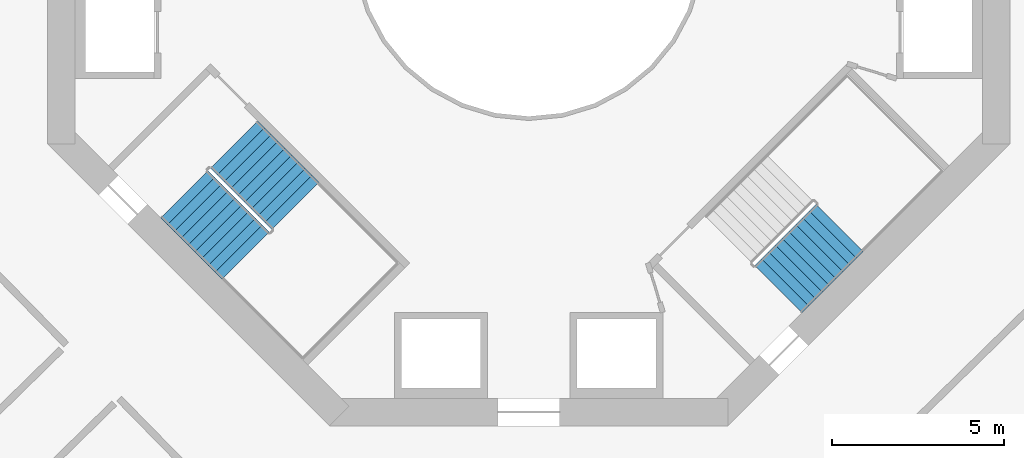
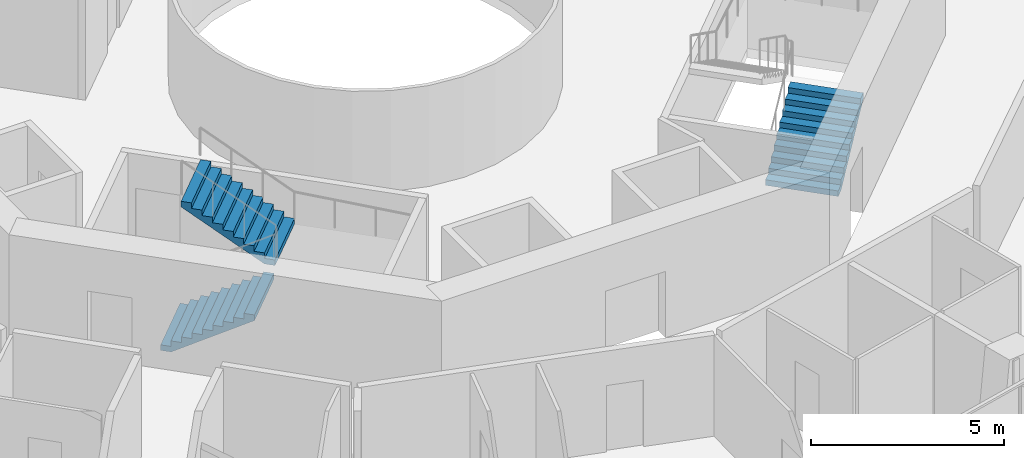
# One storey, part 24 of 26: 3 stair flights, 2 elements without a shape of their own.
"""IFC4 building model written with IfcOpenShell, lengths in metres."""

from ifc_helpers import new_model, si_unit, direction, frame, origin, place, context, subcontext, project, spatial, triangles, material, type_object, element, aggregate, save


model = new_model("IFC4")

# Units and contexts
model_context = context("Model", 3, precision=1e-05, world=origin(), true_north=direction((0.0, 1.0)))
body_context = subcontext(model_context, "Body", "Model", "MODEL_VIEW")
ifc_project = project(units=[si_unit("LENGTHUNIT", "METRE"), si_unit("AREAUNIT", "SQUARE_METRE"), si_unit("VOLUMEUNIT", "CUBIC_METRE"), si_unit("PLANEANGLEUNIT", "RADIAN"), si_unit("MASSUNIT", "GRAM", prefix="KILO")], contexts=[model_context])

# Site, building, storey
site_placement = place(None, origin())
site = spatial("IfcSite", under=ifc_project, at=site_placement, CompositionType="ELEMENT")
building_placement = place(site_placement, origin())
building = spatial("IfcBuilding", under=site, at=building_placement, Name="Verdalira Terraces Hotel", CompositionType="ELEMENT")
storey_placement = place(building_placement, frame((0.0, 0.0, 93.0)))
storey = spatial("IfcBuildingStorey", under=building, at=storey_placement, Name="L21", CompositionType="ELEMENT", Elevation=93.0)

# Stair, stair flights
ifc_material_1 = material(Name="Concrete C40", Category="concrete")
stair_type = type_object("IfcStairType", Name="Core stair 20 risers 1950 mm wide", PredefinedType="HALF_TURN_STAIR", material=ifc_material_1)
stair_1_placement = place(storey_placement, origin())
stair_1 = element("IfcStair", 1, at=stair_1_placement, inside=storey, type_object=stair_type, Name="L21 Exit stair ST2", PredefinedType="HALF_TURN_STAIR")
ifc_material_2 = material(Name="Concrete C40", Category="concrete")
stair_flight_type = type_object("IfcStairFlightType", Name="Core stair flight 20 risers 1950 mm wide", PredefinedType="STRAIGHT", material=ifc_material_2)
stair_flight_1_placement = place(storey_placement, frame((-10.023193, -7.265625, 0.0), z_axis=(0.0, 0.0, 1.0), x_axis=(0.707106781, -0.707106781, 0.0)))
stair_flight_1 = element("IfcStairFlight", 2, at=stair_flight_1_placement, type_object=stair_flight_type, Name="ST2 flight 1", NumberOfRisers=10, NumberOfTreads=9, PredefinedType="STRAIGHT", RiserHeight=0.175, TreadLength=0.28, context=body_context, shape_type="Tessellation", body=[
    triangles([(0.0, 0.974976, 0.0), (0.282715, 0.974976, 0.0), (2.52002, 0.974976, 1.398193), (0.0, -0.974976, 0.0), (0.282715, -0.974976, 0.0), (2.52002, -0.974976, 1.398193), (2.52002, 0.974976, 1.574951), (2.23999, 0.974976, 1.574951), (2.52002, -0.974976, 1.574951), (2.23999, -0.974976, 1.574951), (2.23999, 0.974976, 1.399902), (2.23999, -0.974976, 1.399902), (1.959961, 0.974976, 1.399902), (1.959961, -0.974976, 1.399902), (1.959961, 0.974976, 1.225098), (1.959961, -0.974976, 1.225098), (1.679932, 0.974976, 1.225098), (1.679932, 0.974976, 1.050049), (1.679932, -0.974976, 1.225098), (1.679932, -0.974976, 1.050049), (1.399902, 0.974976, 1.050049), (1.399902, 0.974976, 0.875), (1.399902, -0.974976, 1.050049), (1.399902, -0.974976, 0.875), (1.120117, 0.974976, 0.875), (1.120117, 0.974976, 0.699951), (1.120117, -0.974976, 0.875), (1.120117, -0.974976, 0.699951), (0.840088, 0.974976, 0.699951), (0.840088, 0.974976, 0.524902), (0.840088, -0.974976, 0.699951), (0.840088, -0.974976, 0.524902), (0.560059, 0.974976, 0.524902), (0.560059, 0.974976, 0.350098), (0.560059, -0.974976, 0.524902), (0.560059, -0.974976, 0.350098), (0.280029, 0.974976, 0.350098), (0.280029, 0.974976, 0.175049), (0.280029, -0.974976, 0.350098), (0.280029, -0.974976, 0.175049), (0.0, 0.974976, 0.175049), (0.0, -0.974976, 0.175049), (0.0, -0.91404, 0.0), (0.0, -0.91404, 0.175049), (0.0, -0.853104, 0.0), (0.0, -0.853104, 0.175049), (0.0, -0.792168, 0.0), (0.0, -0.792168, 0.175049), (0.0, -0.731232, 0.0), (0.0, -0.731232, 0.175049), (0.0, -0.670296, 0.0), (0.0, -0.670296, 0.175049), (0.0, -0.60936, 0.0), (0.0, -0.60936, 0.175049), (0.0, -0.548424, 0.0), (0.0, -0.548424, 0.175049), (0.0, -0.487488, 0.0), (0.0, -0.487488, 0.175049), (0.0, -0.426552, 0.0), (0.0, -0.426552, 0.175049), (0.0, -0.365616, 0.0), (0.0, -0.365616, 0.175049), (0.0, -0.30468, 0.0), (0.0, -0.30468, 0.175049), (0.0, -0.243744, 0.0), (0.0, -0.243744, 0.175049), (0.0, -0.182808, 0.0), (0.0, -0.182808, 0.175049), (0.0, -0.121872, 0.0), (0.0, -0.121872, 0.175049), (0.0, -0.060936, 0.0), (0.0, -0.060936, 0.175049), (0.0, 0.0, 0.0), (0.0, 0.0, 0.175049), (0.0, 0.060936, 0.0), (0.0, 0.060936, 0.175049), (0.0, 0.121872, 0.0), (0.0, 0.121872, 0.175049), (0.0, 0.182808, 0.0), (0.0, 0.182808, 0.175049), (0.0, 0.243744, 0.0), (0.0, 0.243744, 0.175049), (0.0, 0.30468, 0.0), (0.0, 0.30468, 0.175049), (0.0, 0.365616, 0.0), (0.0, 0.365616, 0.175049), (0.0, 0.426552, 0.0), (0.0, 0.426552, 0.175049), (0.0, 0.487488, 0.0), (0.0, 0.487488, 0.175049), (0.0, 0.548424, 0.0), (0.0, 0.548424, 0.175049), (0.0, 0.60936, 0.0), (0.0, 0.60936, 0.175049), (0.0, 0.670296, 0.0), (0.0, 0.670296, 0.175049), (0.0, 0.731232, 0.0), (0.0, 0.731232, 0.175049), (0.0, 0.792168, 0.0), (0.0, 0.792168, 0.175049), (0.0, 0.853104, 0.0), (0.0, 0.853104, 0.175049), (0.0, 0.91404, 0.0), (0.0, 0.91404, 0.175049), (2.52002, -0.91404, 1.574951), (2.52002, -0.853104, 1.574951), (2.52002, -0.792168, 1.574951), (2.52002, -0.731232, 1.574951), (2.52002, -0.670296, 1.574951), (2.52002, -0.60936, 1.574951), (2.52002, -0.548424, 1.574951), (2.52002, -0.487488, 1.574951), (2.52002, -0.426552, 1.574951), (2.52002, -0.365616, 1.574951), (2.52002, -0.30468, 1.574951), (2.52002, -0.243744, 1.574951), (2.52002, -0.182808, 1.574951), (2.52002, -0.121872, 1.574951), (2.52002, -0.060936, 1.574951), (2.52002, 0.0, 1.574951), (2.52002, 0.060936, 1.574951), (2.52002, 0.121872, 1.574951), (2.52002, 0.182808, 1.574951), (2.52002, 0.243744, 1.574951), (2.52002, 0.30468, 1.574951), (2.52002, 0.365616, 1.574951), (2.52002, 0.426552, 1.574951), (2.52002, 0.487488, 1.574951), (2.52002, 0.548424, 1.574951), (2.52002, 0.60936, 1.574951), (2.52002, 0.670296, 1.574951), (2.52002, 0.731232, 1.574951), (2.52002, 0.792168, 1.574951), (2.52002, 0.853104, 1.574951), (2.52002, 0.91404, 1.574951), (2.52002, -0.91404, 1.398193), (2.52002, -0.853104, 1.398193), (2.52002, -0.792168, 1.398193), (2.52002, -0.731232, 1.398193), (2.52002, -0.670296, 1.398193), (2.52002, -0.60936, 1.398193), (2.52002, -0.548424, 1.398193), (2.52002, -0.487488, 1.398193), (2.52002, -0.426552, 1.398193), (2.52002, -0.365616, 1.398193), (2.52002, -0.30468, 1.398193), (2.52002, -0.243744, 1.398193), (2.52002, -0.182808, 1.398193), (2.52002, -0.121872, 1.398193), (2.52002, -0.060936, 1.398193), (2.52002, 0.0, 1.398193), (2.52002, 0.060936, 1.398193), (2.52002, 0.121872, 1.398193), (2.52002, 0.182808, 1.398193), (2.52002, 0.243744, 1.398193), (2.52002, 0.30468, 1.398193), (2.52002, 0.365616, 1.398193), (2.52002, 0.426552, 1.398193), (2.52002, 0.487488, 1.398193), (2.52002, 0.548424, 1.398193), (2.52002, 0.60936, 1.398193), (2.52002, 0.670296, 1.398193), (2.52002, 0.731232, 1.398193), (2.52002, 0.792168, 1.398193), (2.52002, 0.853104, 1.398193), (2.52002, 0.91404, 1.398193)], [[1, 3, 2], [4, 5, 6], [3, 8, 7], [6, 9, 10], [3, 11, 8], [6, 10, 12], [3, 13, 11], [6, 12, 14], [3, 15, 13], [6, 14, 16], [15, 18, 17], [16, 19, 20], [3, 18, 15], [6, 16, 20], [18, 22, 21], [20, 23, 24], [3, 22, 18], [6, 20, 24], [22, 26, 25], [24, 27, 28], [3, 26, 22], [6, 24, 28], [26, 30, 29], [28, 31, 32], [3, 30, 26], [6, 28, 32], [1, 30, 3], [4, 6, 32], [30, 34, 33], [32, 35, 36], [34, 38, 37], [36, 39, 40], [30, 38, 34], [32, 36, 40], [1, 38, 30], [4, 32, 40], [38, 1, 41], [40, 42, 4], [4, 44, 43], [4, 42, 44], [43, 46, 45], [43, 44, 46], [45, 48, 47], [45, 46, 48], [47, 50, 49], [47, 48, 50], [49, 52, 51], [49, 50, 52], [51, 54, 53], [51, 52, 54], [53, 56, 55], [53, 54, 56], [55, 58, 57], [55, 56, 58], [57, 60, 59], [57, 58, 60], [59, 62, 61], [59, 60, 62], [61, 64, 63], [61, 62, 64], [63, 66, 65], [63, 64, 66], [65, 68, 67], [65, 66, 68], [67, 70, 69], [67, 68, 70], [69, 72, 71], [69, 70, 72], [71, 74, 73], [71, 72, 74], [73, 76, 75], [73, 74, 76], [75, 78, 77], [75, 76, 78], [77, 80, 79], [77, 78, 80], [79, 82, 81], [79, 80, 82], [81, 84, 83], [81, 82, 84], [83, 86, 85], [83, 84, 86], [85, 88, 87], [85, 86, 88], [87, 90, 89], [87, 88, 90], [89, 92, 91], [89, 90, 92], [91, 94, 93], [91, 92, 94], [93, 96, 95], [93, 94, 96], [95, 98, 97], [95, 96, 98], [97, 100, 99], [97, 98, 100], [99, 102, 101], [99, 100, 102], [101, 104, 103], [101, 102, 104], [103, 41, 1], [103, 104, 41], [42, 40, 44], [44, 40, 46], [46, 40, 48], [48, 40, 50], [50, 40, 52], [52, 40, 54], [54, 40, 56], [56, 40, 58], [58, 40, 60], [60, 40, 62], [62, 40, 64], [64, 40, 66], [66, 40, 68], [68, 40, 70], [70, 40, 72], [72, 40, 74], [74, 40, 76], [76, 40, 78], [78, 40, 80], [80, 40, 82], [82, 40, 84], [84, 40, 86], [86, 40, 88], [88, 40, 90], [90, 40, 92], [92, 40, 94], [94, 40, 96], [96, 40, 98], [98, 40, 100], [100, 40, 102], [102, 40, 104], [104, 40, 41], [41, 40, 38], [40, 37, 38], [40, 39, 37], [39, 34, 37], [39, 36, 34], [36, 33, 34], [36, 35, 33], [35, 30, 33], [35, 32, 30], [32, 29, 30], [32, 31, 29], [31, 26, 29], [31, 28, 26], [28, 25, 26], [28, 27, 25], [27, 22, 25], [27, 24, 22], [24, 21, 22], [24, 23, 21], [23, 18, 21], [23, 20, 18], [20, 17, 18], [20, 19, 17], [19, 15, 17], [19, 16, 15], [16, 13, 15], [16, 14, 13], [14, 11, 13], [14, 12, 11], [12, 8, 11], [12, 10, 8], [9, 105, 10], [105, 106, 10], [106, 107, 10], [107, 108, 10], [108, 109, 10], [109, 110, 10], [110, 111, 10], [111, 112, 10], [112, 113, 10], [113, 114, 10], [114, 115, 10], [115, 116, 10], [116, 117, 10], [117, 118, 10], [118, 119, 10], [119, 120, 10], [120, 121, 10], [121, 122, 10], [122, 123, 10], [123, 124, 10], [124, 125, 10], [125, 126, 10], [126, 127, 10], [127, 128, 10], [128, 129, 10], [129, 130, 10], [130, 131, 10], [131, 132, 10], [132, 133, 10], [133, 134, 10], [134, 135, 10], [135, 7, 10], [7, 8, 10], [9, 136, 105], [9, 6, 136], [105, 137, 106], [105, 136, 137], [106, 138, 107], [106, 137, 138], [107, 139, 108], [107, 138, 139], [108, 140, 109], [108, 139, 140], [109, 141, 110], [109, 140, 141], [110, 142, 111], [110, 141, 142], [111, 143, 112], [111, 142, 143], [112, 144, 113], [112, 143, 144], [113, 145, 114], [113, 144, 145], [114, 146, 115], [114, 145, 146], [115, 147, 116], [115, 146, 147], [116, 148, 117], [116, 147, 148], [117, 149, 118], [117, 148, 149], [118, 150, 119], [118, 149, 150], [119, 151, 120], [119, 150, 151], [120, 152, 121], [120, 151, 152], [121, 153, 122], [121, 152, 153], [122, 154, 123], [122, 153, 154], [123, 155, 124], [123, 154, 155], [124, 156, 125], [124, 155, 156], [125, 157, 126], [125, 156, 157], [126, 158, 127], [126, 157, 158], [127, 159, 128], [127, 158, 159], [128, 160, 129], [128, 159, 160], [129, 161, 130], [129, 160, 161], [130, 162, 131], [130, 161, 162], [131, 163, 132], [131, 162, 163], [132, 164, 133], [132, 163, 164], [133, 165, 134], [133, 164, 165], [134, 166, 135], [134, 165, 166], [135, 3, 7], [135, 166, 3], [6, 5, 136], [136, 5, 137], [137, 5, 138], [138, 5, 139], [139, 5, 140], [140, 5, 141], [141, 5, 142], [142, 5, 143], [143, 5, 144], [144, 5, 145], [145, 5, 146], [146, 5, 147], [147, 5, 148], [148, 5, 149], [149, 5, 150], [150, 5, 151], [151, 5, 152], [152, 5, 153], [153, 5, 154], [154, 5, 155], [155, 5, 156], [156, 5, 157], [157, 5, 158], [158, 5, 159], [159, 5, 160], [160, 5, 161], [161, 5, 162], [162, 5, 163], [163, 5, 164], [164, 5, 165], [165, 5, 166], [166, 5, 3], [3, 5, 2], [4, 43, 5], [43, 45, 5], [45, 47, 5], [47, 49, 5], [49, 51, 5], [51, 53, 5], [53, 55, 5], [55, 57, 5], [57, 59, 5], [59, 61, 5], [61, 63, 5], [63, 65, 5], [65, 67, 5], [67, 69, 5], [69, 71, 5], [71, 73, 5], [73, 75, 5], [75, 77, 5], [77, 79, 5], [79, 81, 5], [81, 83, 5], [83, 85, 5], [85, 87, 5], [87, 89, 5], [89, 91, 5], [91, 93, 5], [93, 95, 5], [95, 97, 5], [97, 99, 5], [99, 101, 5], [101, 103, 5], [103, 1, 5], [1, 2, 5]], closed=True),
])
stair_flight_2_placement = place(storey_placement, frame((-6.791748, -7.5979, 1.75), z_axis=(0.0, 0.0, 1.0), x_axis=(-0.707106781, 0.707106781, 0.0)))
stair_flight_2 = element("IfcStairFlight", 3, at=stair_flight_2_placement, type_object=stair_flight_type, Name="ST2 flight 2", NumberOfRisers=10, NumberOfTreads=9, PredefinedType="STRAIGHT", RiserHeight=0.175, TreadLength=0.28, context=body_context, shape_type="Tessellation", body=[
    triangles([(0.0, 0.974976, 0.0), (0.282715, 0.974976, 0.0), (2.52002, 0.974976, 1.398193), (0.0, -0.974976, 0.0), (0.282715, -0.974976, 0.0), (2.52002, -0.974976, 1.398193), (2.52002, 0.974976, 1.574951), (2.23999, 0.974976, 1.574951), (2.52002, -0.974976, 1.574951), (2.23999, -0.974976, 1.574951), (2.23999, 0.974976, 1.399902), (2.23999, -0.974976, 1.399902), (1.959961, 0.974976, 1.399902), (1.959961, -0.974976, 1.399902), (1.959961, 0.974976, 1.225098), (1.959961, -0.974976, 1.225098), (1.679932, 0.974976, 1.225098), (1.679932, 0.974976, 1.050049), (1.679932, -0.974976, 1.225098), (1.679932, -0.974976, 1.050049), (1.399902, 0.974976, 1.050049), (1.399902, 0.974976, 0.875), (1.399902, -0.974976, 1.050049), (1.399902, -0.974976, 0.875), (1.120117, 0.974976, 0.875), (1.120117, 0.974976, 0.699951), (1.120117, -0.974976, 0.875), (1.120117, -0.974976, 0.699951), (0.840088, 0.974976, 0.699951), (0.840088, 0.974976, 0.524902), (0.840088, -0.974976, 0.699951), (0.840088, -0.974976, 0.524902), (0.560059, 0.974976, 0.524902), (0.560059, 0.974976, 0.350098), (0.560059, -0.974976, 0.524902), (0.560059, -0.974976, 0.350098), (0.280029, 0.974976, 0.350098), (0.280029, 0.974976, 0.175049), (0.280029, -0.974976, 0.350098), (0.280029, -0.974976, 0.175049), (0.0, 0.974976, 0.175049), (0.0, -0.974976, 0.175049), (0.0, -0.91404, 0.0), (0.0, -0.91404, 0.175049), (0.0, -0.853104, 0.0), (0.0, -0.853104, 0.175049), (0.0, -0.792168, 0.0), (0.0, -0.792168, 0.175049), (0.0, -0.731232, 0.0), (0.0, -0.731232, 0.175049), (0.0, -0.670296, 0.0), (0.0, -0.670296, 0.175049), (0.0, -0.60936, 0.0), (0.0, -0.60936, 0.175049), (0.0, -0.548424, 0.0), (0.0, -0.548424, 0.175049), (0.0, -0.487488, 0.0), (0.0, -0.487488, 0.175049), (0.0, -0.426552, 0.0), (0.0, -0.426552, 0.175049), (0.0, -0.365616, 0.0), (0.0, -0.365616, 0.175049), (0.0, -0.30468, 0.0), (0.0, -0.30468, 0.175049), (0.0, -0.243744, 0.0), (0.0, -0.243744, 0.175049), (0.0, -0.182808, 0.0), (0.0, -0.182808, 0.175049), (0.0, -0.121872, 0.0), (0.0, -0.121872, 0.175049), (0.0, -0.060936, 0.0), (0.0, -0.060936, 0.175049), (0.0, 0.0, 0.0), (0.0, 0.0, 0.175049), (0.0, 0.060936, 0.0), (0.0, 0.060936, 0.175049), (0.0, 0.121872, 0.0), (0.0, 0.121872, 0.175049), (0.0, 0.182808, 0.0), (0.0, 0.182808, 0.175049), (0.0, 0.243744, 0.0), (0.0, 0.243744, 0.175049), (0.0, 0.30468, 0.0), (0.0, 0.30468, 0.175049), (0.0, 0.365616, 0.0), (0.0, 0.365616, 0.175049), (0.0, 0.426552, 0.0), (0.0, 0.426552, 0.175049), (0.0, 0.487488, 0.0), (0.0, 0.487488, 0.175049), (0.0, 0.548424, 0.0), (0.0, 0.548424, 0.175049), (0.0, 0.60936, 0.0), (0.0, 0.60936, 0.175049), (0.0, 0.670296, 0.0), (0.0, 0.670296, 0.175049), (0.0, 0.731232, 0.0), (0.0, 0.731232, 0.175049), (0.0, 0.792168, 0.0), (0.0, 0.792168, 0.175049), (0.0, 0.853104, 0.0), (0.0, 0.853104, 0.175049), (0.0, 0.91404, 0.0), (0.0, 0.91404, 0.175049), (2.52002, -0.91404, 1.574951), (2.52002, -0.853104, 1.574951), (2.52002, -0.792168, 1.574951), (2.52002, -0.731232, 1.574951), (2.52002, -0.670296, 1.574951), (2.52002, -0.60936, 1.574951), (2.52002, -0.548424, 1.574951), (2.52002, -0.487488, 1.574951), (2.52002, -0.426552, 1.574951), (2.52002, -0.365616, 1.574951), (2.52002, -0.30468, 1.574951), (2.52002, -0.243744, 1.574951), (2.52002, -0.182808, 1.574951), (2.52002, -0.121872, 1.574951), (2.52002, -0.060936, 1.574951), (2.52002, 0.0, 1.574951), (2.52002, 0.060936, 1.574951), (2.52002, 0.121872, 1.574951), (2.52002, 0.182808, 1.574951), (2.52002, 0.243744, 1.574951), (2.52002, 0.30468, 1.574951), (2.52002, 0.365616, 1.574951), (2.52002, 0.426552, 1.574951), (2.52002, 0.487488, 1.574951), (2.52002, 0.548424, 1.574951), (2.52002, 0.60936, 1.574951), (2.52002, 0.670296, 1.574951), (2.52002, 0.731232, 1.574951), (2.52002, 0.792168, 1.574951), (2.52002, 0.853104, 1.574951), (2.52002, 0.91404, 1.574951), (2.52002, -0.91404, 1.398193), (2.52002, -0.853104, 1.398193), (2.52002, -0.792168, 1.398193), (2.52002, -0.731232, 1.398193), (2.52002, -0.670296, 1.398193), (2.52002, -0.60936, 1.398193), (2.52002, -0.548424, 1.398193), (2.52002, -0.487488, 1.398193), (2.52002, -0.426552, 1.398193), (2.52002, -0.365616, 1.398193), (2.52002, -0.30468, 1.398193), (2.52002, -0.243744, 1.398193), (2.52002, -0.182808, 1.398193), (2.52002, -0.121872, 1.398193), (2.52002, -0.060936, 1.398193), (2.52002, 0.0, 1.398193), (2.52002, 0.060936, 1.398193), (2.52002, 0.121872, 1.398193), (2.52002, 0.182808, 1.398193), (2.52002, 0.243744, 1.398193), (2.52002, 0.30468, 1.398193), (2.52002, 0.365616, 1.398193), (2.52002, 0.426552, 1.398193), (2.52002, 0.487488, 1.398193), (2.52002, 0.548424, 1.398193), (2.52002, 0.60936, 1.398193), (2.52002, 0.670296, 1.398193), (2.52002, 0.731232, 1.398193), (2.52002, 0.792168, 1.398193), (2.52002, 0.853104, 1.398193), (2.52002, 0.91404, 1.398193)], [[1, 3, 2], [4, 5, 6], [3, 8, 7], [6, 9, 10], [3, 11, 8], [6, 10, 12], [3, 13, 11], [6, 12, 14], [3, 15, 13], [6, 14, 16], [15, 18, 17], [16, 19, 20], [3, 18, 15], [6, 16, 20], [18, 22, 21], [20, 23, 24], [3, 22, 18], [6, 20, 24], [22, 26, 25], [24, 27, 28], [3, 26, 22], [6, 24, 28], [26, 30, 29], [28, 31, 32], [3, 30, 26], [6, 28, 32], [1, 30, 3], [4, 6, 32], [30, 34, 33], [32, 35, 36], [34, 38, 37], [36, 39, 40], [30, 38, 34], [32, 36, 40], [1, 38, 30], [4, 32, 40], [38, 1, 41], [40, 42, 4], [4, 44, 43], [4, 42, 44], [43, 46, 45], [43, 44, 46], [45, 48, 47], [45, 46, 48], [47, 50, 49], [47, 48, 50], [49, 52, 51], [49, 50, 52], [51, 54, 53], [51, 52, 54], [53, 56, 55], [53, 54, 56], [55, 58, 57], [55, 56, 58], [57, 60, 59], [57, 58, 60], [59, 62, 61], [59, 60, 62], [61, 64, 63], [61, 62, 64], [63, 66, 65], [63, 64, 66], [65, 68, 67], [65, 66, 68], [67, 70, 69], [67, 68, 70], [69, 72, 71], [69, 70, 72], [71, 74, 73], [71, 72, 74], [73, 76, 75], [73, 74, 76], [75, 78, 77], [75, 76, 78], [77, 80, 79], [77, 78, 80], [79, 82, 81], [79, 80, 82], [81, 84, 83], [81, 82, 84], [83, 86, 85], [83, 84, 86], [85, 88, 87], [85, 86, 88], [87, 90, 89], [87, 88, 90], [89, 92, 91], [89, 90, 92], [91, 94, 93], [91, 92, 94], [93, 96, 95], [93, 94, 96], [95, 98, 97], [95, 96, 98], [97, 100, 99], [97, 98, 100], [99, 102, 101], [99, 100, 102], [101, 104, 103], [101, 102, 104], [103, 41, 1], [103, 104, 41], [42, 40, 44], [44, 40, 46], [46, 40, 48], [48, 40, 50], [50, 40, 52], [52, 40, 54], [54, 40, 56], [56, 40, 58], [58, 40, 60], [60, 40, 62], [62, 40, 64], [64, 40, 66], [66, 40, 68], [68, 40, 70], [70, 40, 72], [72, 40, 74], [74, 40, 76], [76, 40, 78], [78, 40, 80], [80, 40, 82], [82, 40, 84], [84, 40, 86], [86, 40, 88], [88, 40, 90], [90, 40, 92], [92, 40, 94], [94, 40, 96], [96, 40, 98], [98, 40, 100], [100, 40, 102], [102, 40, 104], [104, 40, 41], [41, 40, 38], [40, 37, 38], [40, 39, 37], [39, 34, 37], [39, 36, 34], [36, 33, 34], [36, 35, 33], [35, 30, 33], [35, 32, 30], [32, 29, 30], [32, 31, 29], [31, 26, 29], [31, 28, 26], [28, 25, 26], [28, 27, 25], [27, 22, 25], [27, 24, 22], [24, 21, 22], [24, 23, 21], [23, 18, 21], [23, 20, 18], [20, 17, 18], [20, 19, 17], [19, 15, 17], [19, 16, 15], [16, 13, 15], [16, 14, 13], [14, 11, 13], [14, 12, 11], [12, 8, 11], [12, 10, 8], [9, 105, 10], [105, 106, 10], [106, 107, 10], [107, 108, 10], [108, 109, 10], [109, 110, 10], [110, 111, 10], [111, 112, 10], [112, 113, 10], [113, 114, 10], [114, 115, 10], [115, 116, 10], [116, 117, 10], [117, 118, 10], [118, 119, 10], [119, 120, 10], [120, 121, 10], [121, 122, 10], [122, 123, 10], [123, 124, 10], [124, 125, 10], [125, 126, 10], [126, 127, 10], [127, 128, 10], [128, 129, 10], [129, 130, 10], [130, 131, 10], [131, 132, 10], [132, 133, 10], [133, 134, 10], [134, 135, 10], [135, 7, 10], [7, 8, 10], [9, 136, 105], [9, 6, 136], [105, 137, 106], [105, 136, 137], [106, 138, 107], [106, 137, 138], [107, 139, 108], [107, 138, 139], [108, 140, 109], [108, 139, 140], [109, 141, 110], [109, 140, 141], [110, 142, 111], [110, 141, 142], [111, 143, 112], [111, 142, 143], [112, 144, 113], [112, 143, 144], [113, 145, 114], [113, 144, 145], [114, 146, 115], [114, 145, 146], [115, 147, 116], [115, 146, 147], [116, 148, 117], [116, 147, 148], [117, 149, 118], [117, 148, 149], [118, 150, 119], [118, 149, 150], [119, 151, 120], [119, 150, 151], [120, 152, 121], [120, 151, 152], [121, 153, 122], [121, 152, 153], [122, 154, 123], [122, 153, 154], [123, 155, 124], [123, 154, 155], [124, 156, 125], [124, 155, 156], [125, 157, 126], [125, 156, 157], [126, 158, 127], [126, 157, 158], [127, 159, 128], [127, 158, 159], [128, 160, 129], [128, 159, 160], [129, 161, 130], [129, 160, 161], [130, 162, 131], [130, 161, 162], [131, 163, 132], [131, 162, 163], [132, 164, 133], [132, 163, 164], [133, 165, 134], [133, 164, 165], [134, 166, 135], [134, 165, 166], [135, 3, 7], [135, 166, 3], [6, 5, 136], [136, 5, 137], [137, 5, 138], [138, 5, 139], [139, 5, 140], [140, 5, 141], [141, 5, 142], [142, 5, 143], [143, 5, 144], [144, 5, 145], [145, 5, 146], [146, 5, 147], [147, 5, 148], [148, 5, 149], [149, 5, 150], [150, 5, 151], [151, 5, 152], [152, 5, 153], [153, 5, 154], [154, 5, 155], [155, 5, 156], [156, 5, 157], [157, 5, 158], [158, 5, 159], [159, 5, 160], [160, 5, 161], [161, 5, 162], [162, 5, 163], [163, 5, 164], [164, 5, 165], [165, 5, 166], [166, 5, 3], [3, 5, 2], [4, 43, 5], [43, 45, 5], [45, 47, 5], [47, 49, 5], [49, 51, 5], [51, 53, 5], [53, 55, 5], [55, 57, 5], [57, 59, 5], [59, 61, 5], [61, 63, 5], [63, 65, 5], [65, 67, 5], [67, 69, 5], [69, 71, 5], [71, 73, 5], [73, 75, 5], [75, 77, 5], [77, 79, 5], [79, 81, 5], [81, 83, 5], [83, 85, 5], [85, 87, 5], [87, 89, 5], [89, 91, 5], [91, 93, 5], [93, 95, 5], [95, 97, 5], [97, 99, 5], [99, 101, 5], [101, 103, 5], [103, 1, 5], [1, 2, 5]], closed=True),
])
aggregate(stair_1, [stair_flight_1, stair_flight_2])

# Stair, stair flight
stair_2_placement = place(storey_placement, origin())
stair_2 = element("IfcStair", 4, at=stair_2_placement, inside=storey, type_object=stair_type, Name="L21 Exit stair ST3", PredefinedType="HALF_TURN_STAIR")
stair_flight_3_placement = place(storey_placement, frame((7.265625, -10.023193, 0.0), z_axis=(0.0, 0.0, 1.0), x_axis=(0.707106781, 0.707106781, 0.0)))
stair_flight_3 = element("IfcStairFlight", 5, at=stair_flight_3_placement, type_object=stair_flight_type, Name="ST3 flight 1", NumberOfRisers=10, NumberOfTreads=9, PredefinedType="STRAIGHT", RiserHeight=0.175, TreadLength=0.28, context=body_context, shape_type="Tessellation", body=[
    triangles([(0.0, 0.974976, 0.0), (0.282715, 0.974976, 0.0), (2.52002, 0.974976, 1.398193), (0.0, -0.974976, 0.0), (0.282715, -0.974976, 0.0), (2.52002, -0.974976, 1.398193), (2.52002, 0.974976, 1.574951), (2.23999, 0.974976, 1.574951), (2.52002, -0.974976, 1.574951), (2.23999, -0.974976, 1.574951), (2.23999, 0.974976, 1.399902), (2.23999, -0.974976, 1.399902), (1.959961, 0.974976, 1.399902), (1.959961, -0.974976, 1.399902), (1.959961, 0.974976, 1.225098), (1.959961, -0.974976, 1.225098), (1.679932, 0.974976, 1.225098), (1.679932, 0.974976, 1.050049), (1.679932, -0.974976, 1.225098), (1.679932, -0.974976, 1.050049), (1.399902, 0.974976, 1.050049), (1.399902, 0.974976, 0.875), (1.399902, -0.974976, 1.050049), (1.399902, -0.974976, 0.875), (1.120117, 0.974976, 0.875), (1.120117, 0.974976, 0.699951), (1.120117, -0.974976, 0.875), (1.120117, -0.974976, 0.699951), (0.840088, 0.974976, 0.699951), (0.840088, 0.974976, 0.524902), (0.840088, -0.974976, 0.699951), (0.840088, -0.974976, 0.524902), (0.560059, 0.974976, 0.524902), (0.560059, 0.974976, 0.350098), (0.560059, -0.974976, 0.524902), (0.560059, -0.974976, 0.350098), (0.280029, 0.974976, 0.350098), (0.280029, 0.974976, 0.175049), (0.280029, -0.974976, 0.350098), (0.280029, -0.974976, 0.175049), (0.0, 0.974976, 0.175049), (0.0, -0.974976, 0.175049), (0.0, -0.91404, 0.0), (0.0, -0.91404, 0.175049), (0.0, -0.853104, 0.0), (0.0, -0.853104, 0.175049), (0.0, -0.792168, 0.0), (0.0, -0.792168, 0.175049), (0.0, -0.731232, 0.0), (0.0, -0.731232, 0.175049), (0.0, -0.670296, 0.0), (0.0, -0.670296, 0.175049), (0.0, -0.60936, 0.0), (0.0, -0.60936, 0.175049), (0.0, -0.548424, 0.0), (0.0, -0.548424, 0.175049), (0.0, -0.487488, 0.0), (0.0, -0.487488, 0.175049), (0.0, -0.426552, 0.0), (0.0, -0.426552, 0.175049), (0.0, -0.365616, 0.0), (0.0, -0.365616, 0.175049), (0.0, -0.30468, 0.0), (0.0, -0.30468, 0.175049), (0.0, -0.243744, 0.0), (0.0, -0.243744, 0.175049), (0.0, -0.182808, 0.0), (0.0, -0.182808, 0.175049), (0.0, -0.121872, 0.0), (0.0, -0.121872, 0.175049), (0.0, -0.060936, 0.0), (0.0, -0.060936, 0.175049), (0.0, 0.0, 0.0), (0.0, 0.0, 0.175049), (0.0, 0.060936, 0.0), (0.0, 0.060936, 0.175049), (0.0, 0.121872, 0.0), (0.0, 0.121872, 0.175049), (0.0, 0.182808, 0.0), (0.0, 0.182808, 0.175049), (0.0, 0.243744, 0.0), (0.0, 0.243744, 0.175049), (0.0, 0.30468, 0.0), (0.0, 0.30468, 0.175049), (0.0, 0.365616, 0.0), (0.0, 0.365616, 0.175049), (0.0, 0.426552, 0.0), (0.0, 0.426552, 0.175049), (0.0, 0.487488, 0.0), (0.0, 0.487488, 0.175049), (0.0, 0.548424, 0.0), (0.0, 0.548424, 0.175049), (0.0, 0.60936, 0.0), (0.0, 0.60936, 0.175049), (0.0, 0.670296, 0.0), (0.0, 0.670296, 0.175049), (0.0, 0.731232, 0.0), (0.0, 0.731232, 0.175049), (0.0, 0.792168, 0.0), (0.0, 0.792168, 0.175049), (0.0, 0.853104, 0.0), (0.0, 0.853104, 0.175049), (0.0, 0.91404, 0.0), (0.0, 0.91404, 0.175049), (2.52002, -0.91404, 1.574951), (2.52002, -0.853104, 1.574951), (2.52002, -0.792168, 1.574951), (2.52002, -0.731232, 1.574951), (2.52002, -0.670296, 1.574951), (2.52002, -0.60936, 1.574951), (2.52002, -0.548424, 1.574951), (2.52002, -0.487488, 1.574951), (2.52002, -0.426552, 1.574951), (2.52002, -0.365616, 1.574951), (2.52002, -0.30468, 1.574951), (2.52002, -0.243744, 1.574951), (2.52002, -0.182808, 1.574951), (2.52002, -0.121872, 1.574951), (2.52002, -0.060936, 1.574951), (2.52002, 0.0, 1.574951), (2.52002, 0.060936, 1.574951), (2.52002, 0.121872, 1.574951), (2.52002, 0.182808, 1.574951), (2.52002, 0.243744, 1.574951), (2.52002, 0.30468, 1.574951), (2.52002, 0.365616, 1.574951), (2.52002, 0.426552, 1.574951), (2.52002, 0.487488, 1.574951), (2.52002, 0.548424, 1.574951), (2.52002, 0.60936, 1.574951), (2.52002, 0.670296, 1.574951), (2.52002, 0.731232, 1.574951), (2.52002, 0.792168, 1.574951), (2.52002, 0.853104, 1.574951), (2.52002, 0.91404, 1.574951), (2.52002, -0.91404, 1.398193), (2.52002, -0.853104, 1.398193), (2.52002, -0.792168, 1.398193), (2.52002, -0.731232, 1.398193), (2.52002, -0.670296, 1.398193), (2.52002, -0.60936, 1.398193), (2.52002, -0.548424, 1.398193), (2.52002, -0.487488, 1.398193), (2.52002, -0.426552, 1.398193), (2.52002, -0.365616, 1.398193), (2.52002, -0.30468, 1.398193), (2.52002, -0.243744, 1.398193), (2.52002, -0.182808, 1.398193), (2.52002, -0.121872, 1.398193), (2.52002, -0.060936, 1.398193), (2.52002, 0.0, 1.398193), (2.52002, 0.060936, 1.398193), (2.52002, 0.121872, 1.398193), (2.52002, 0.182808, 1.398193), (2.52002, 0.243744, 1.398193), (2.52002, 0.30468, 1.398193), (2.52002, 0.365616, 1.398193), (2.52002, 0.426552, 1.398193), (2.52002, 0.487488, 1.398193), (2.52002, 0.548424, 1.398193), (2.52002, 0.60936, 1.398193), (2.52002, 0.670296, 1.398193), (2.52002, 0.731232, 1.398193), (2.52002, 0.792168, 1.398193), (2.52002, 0.853104, 1.398193), (2.52002, 0.91404, 1.398193)], [[1, 3, 2], [4, 5, 6], [3, 8, 7], [6, 9, 10], [3, 11, 8], [6, 10, 12], [3, 13, 11], [6, 12, 14], [3, 15, 13], [6, 14, 16], [15, 18, 17], [16, 19, 20], [3, 18, 15], [6, 16, 20], [18, 22, 21], [20, 23, 24], [3, 22, 18], [6, 20, 24], [22, 26, 25], [24, 27, 28], [3, 26, 22], [6, 24, 28], [26, 30, 29], [28, 31, 32], [3, 30, 26], [6, 28, 32], [1, 30, 3], [4, 6, 32], [30, 34, 33], [32, 35, 36], [34, 38, 37], [36, 39, 40], [30, 38, 34], [32, 36, 40], [1, 38, 30], [4, 32, 40], [38, 1, 41], [40, 42, 4], [4, 44, 43], [4, 42, 44], [43, 46, 45], [43, 44, 46], [45, 48, 47], [45, 46, 48], [47, 50, 49], [47, 48, 50], [49, 52, 51], [49, 50, 52], [51, 54, 53], [51, 52, 54], [53, 56, 55], [53, 54, 56], [55, 58, 57], [55, 56, 58], [57, 60, 59], [57, 58, 60], [59, 62, 61], [59, 60, 62], [61, 64, 63], [61, 62, 64], [63, 66, 65], [63, 64, 66], [65, 68, 67], [65, 66, 68], [67, 70, 69], [67, 68, 70], [69, 72, 71], [69, 70, 72], [71, 74, 73], [71, 72, 74], [73, 76, 75], [73, 74, 76], [75, 78, 77], [75, 76, 78], [77, 80, 79], [77, 78, 80], [79, 82, 81], [79, 80, 82], [81, 84, 83], [81, 82, 84], [83, 86, 85], [83, 84, 86], [85, 88, 87], [85, 86, 88], [87, 90, 89], [87, 88, 90], [89, 92, 91], [89, 90, 92], [91, 94, 93], [91, 92, 94], [93, 96, 95], [93, 94, 96], [95, 98, 97], [95, 96, 98], [97, 100, 99], [97, 98, 100], [99, 102, 101], [99, 100, 102], [101, 104, 103], [101, 102, 104], [103, 41, 1], [103, 104, 41], [42, 40, 44], [44, 40, 46], [46, 40, 48], [48, 40, 50], [50, 40, 52], [52, 40, 54], [54, 40, 56], [56, 40, 58], [58, 40, 60], [60, 40, 62], [62, 40, 64], [64, 40, 66], [66, 40, 68], [68, 40, 70], [70, 40, 72], [72, 40, 74], [74, 40, 76], [76, 40, 78], [78, 40, 80], [80, 40, 82], [82, 40, 84], [84, 40, 86], [86, 40, 88], [88, 40, 90], [90, 40, 92], [92, 40, 94], [94, 40, 96], [96, 40, 98], [98, 40, 100], [100, 40, 102], [102, 40, 104], [104, 40, 41], [41, 40, 38], [40, 37, 38], [40, 39, 37], [39, 34, 37], [39, 36, 34], [36, 33, 34], [36, 35, 33], [35, 30, 33], [35, 32, 30], [32, 29, 30], [32, 31, 29], [31, 26, 29], [31, 28, 26], [28, 25, 26], [28, 27, 25], [27, 22, 25], [27, 24, 22], [24, 21, 22], [24, 23, 21], [23, 18, 21], [23, 20, 18], [20, 17, 18], [20, 19, 17], [19, 15, 17], [19, 16, 15], [16, 13, 15], [16, 14, 13], [14, 11, 13], [14, 12, 11], [12, 8, 11], [12, 10, 8], [9, 105, 10], [105, 106, 10], [106, 107, 10], [107, 108, 10], [108, 109, 10], [109, 110, 10], [110, 111, 10], [111, 112, 10], [112, 113, 10], [113, 114, 10], [114, 115, 10], [115, 116, 10], [116, 117, 10], [117, 118, 10], [118, 119, 10], [119, 120, 10], [120, 121, 10], [121, 122, 10], [122, 123, 10], [123, 124, 10], [124, 125, 10], [125, 126, 10], [126, 127, 10], [127, 128, 10], [128, 129, 10], [129, 130, 10], [130, 131, 10], [131, 132, 10], [132, 133, 10], [133, 134, 10], [134, 135, 10], [135, 7, 10], [7, 8, 10], [9, 136, 105], [9, 6, 136], [105, 137, 106], [105, 136, 137], [106, 138, 107], [106, 137, 138], [107, 139, 108], [107, 138, 139], [108, 140, 109], [108, 139, 140], [109, 141, 110], [109, 140, 141], [110, 142, 111], [110, 141, 142], [111, 143, 112], [111, 142, 143], [112, 144, 113], [112, 143, 144], [113, 145, 114], [113, 144, 145], [114, 146, 115], [114, 145, 146], [115, 147, 116], [115, 146, 147], [116, 148, 117], [116, 147, 148], [117, 149, 118], [117, 148, 149], [118, 150, 119], [118, 149, 150], [119, 151, 120], [119, 150, 151], [120, 152, 121], [120, 151, 152], [121, 153, 122], [121, 152, 153], [122, 154, 123], [122, 153, 154], [123, 155, 124], [123, 154, 155], [124, 156, 125], [124, 155, 156], [125, 157, 126], [125, 156, 157], [126, 158, 127], [126, 157, 158], [127, 159, 128], [127, 158, 159], [128, 160, 129], [128, 159, 160], [129, 161, 130], [129, 160, 161], [130, 162, 131], [130, 161, 162], [131, 163, 132], [131, 162, 163], [132, 164, 133], [132, 163, 164], [133, 165, 134], [133, 164, 165], [134, 166, 135], [134, 165, 166], [135, 3, 7], [135, 166, 3], [6, 5, 136], [136, 5, 137], [137, 5, 138], [138, 5, 139], [139, 5, 140], [140, 5, 141], [141, 5, 142], [142, 5, 143], [143, 5, 144], [144, 5, 145], [145, 5, 146], [146, 5, 147], [147, 5, 148], [148, 5, 149], [149, 5, 150], [150, 5, 151], [151, 5, 152], [152, 5, 153], [153, 5, 154], [154, 5, 155], [155, 5, 156], [156, 5, 157], [157, 5, 158], [158, 5, 159], [159, 5, 160], [160, 5, 161], [161, 5, 162], [162, 5, 163], [163, 5, 164], [164, 5, 165], [165, 5, 166], [166, 5, 3], [3, 5, 2], [4, 43, 5], [43, 45, 5], [45, 47, 5], [47, 49, 5], [49, 51, 5], [51, 53, 5], [53, 55, 5], [55, 57, 5], [57, 59, 5], [59, 61, 5], [61, 63, 5], [63, 65, 5], [65, 67, 5], [67, 69, 5], [69, 71, 5], [71, 73, 5], [73, 75, 5], [75, 77, 5], [77, 79, 5], [79, 81, 5], [81, 83, 5], [83, 85, 5], [85, 87, 5], [87, 89, 5], [89, 91, 5], [91, 93, 5], [93, 95, 5], [95, 97, 5], [97, 99, 5], [99, 101, 5], [101, 103, 5], [103, 1, 5], [1, 2, 5]], closed=True),
])
aggregate(stair_2, [stair_flight_3])

save(model, "model.ifc")
